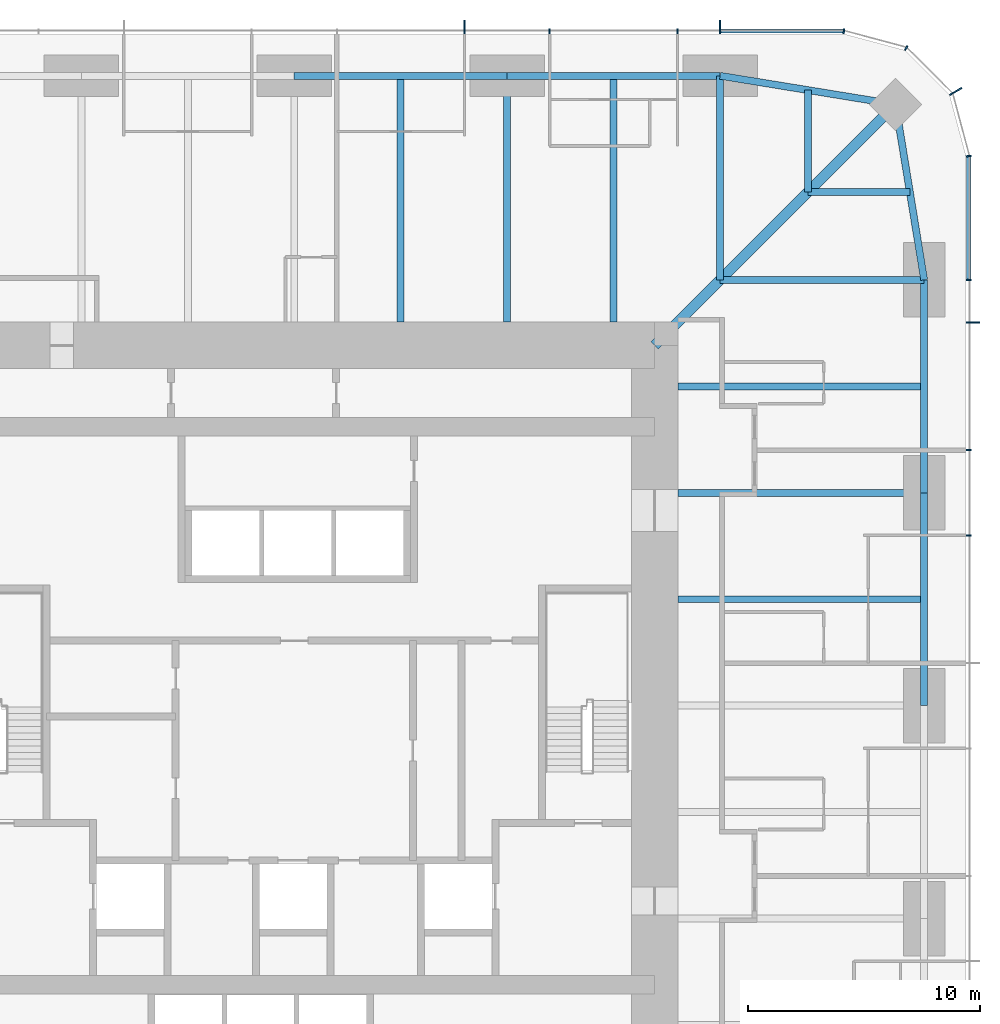
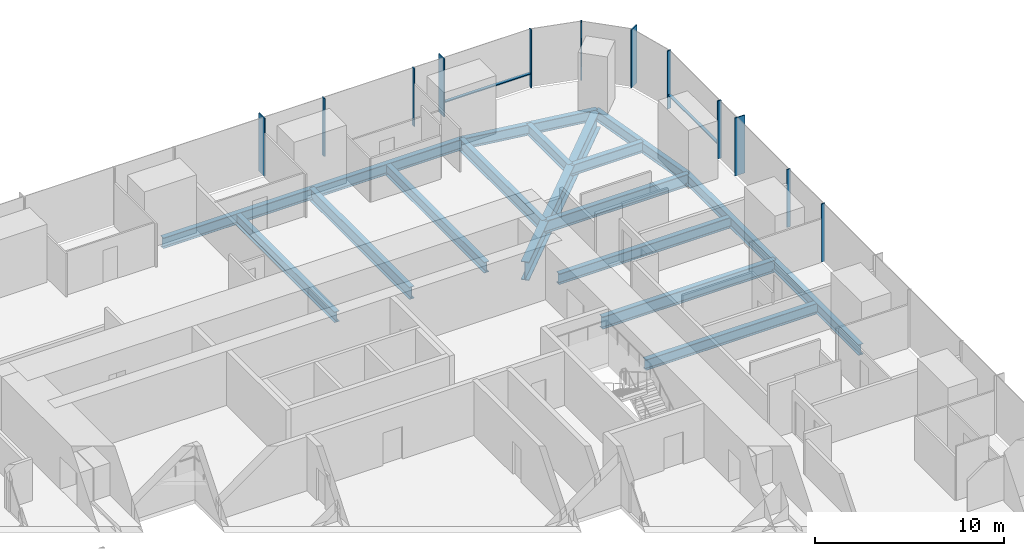
# One storey, part 6 of 13: 17 beams, 14 members, 3 elements without a shape of their own.
"""IFC4 building model written with IfcOpenShell, lengths in metres."""

from ifc_helpers import new_model, si_unit, direction, frame, origin, origin_2d, place, context, subcontext, project, spatial, rectangle, i_section, extrude, material, material_profile, profile_set, type_object, element, aggregate, save


model = new_model("IFC4")

# Units and contexts
model_context = context("Model", 3, precision=1e-05, world=origin(), true_north=direction((0.0, 1.0)))
body_context = subcontext(model_context, "Body", "Model", "MODEL_VIEW")
ifc_project = project(units=[si_unit("LENGTHUNIT", "METRE"), si_unit("AREAUNIT", "SQUARE_METRE"), si_unit("VOLUMEUNIT", "CUBIC_METRE"), si_unit("PLANEANGLEUNIT", "RADIAN"), si_unit("MASSUNIT", "GRAM", prefix="KILO")], contexts=[model_context])

# Site, building, storey
site_placement = place(None, origin())
site = spatial("IfcSite", under=ifc_project, at=site_placement, CompositionType="ELEMENT")
building_placement = place(site_placement, origin())
building = spatial("IfcBuilding", under=site, at=building_placement, Name="Khuree Lantern Residences", CompositionType="ELEMENT")
storey_placement = place(building_placement, frame((0.0, 0.0, 133.5)))
storey = spatial("IfcBuildingStorey", under=building, at=storey_placement, Name="L33", CompositionType="ELEMENT", Elevation=133.5)

# Beams
ifc_material_1 = material(Name="Steel S355", Category="steel")
ifc_material_profile_1 = material_profile(ifc_material_1, i_section(OverallWidth=0.300048828125, OverallDepth=0.68994140625, WebThickness=0.014404296875, FlangeThickness=0.027099609375, FilletRadius=0.027099609375, at=origin_2d()), Name="HE 700 A")
ifc_profile_set_1 = profile_set([ifc_material_profile_1], Name="Steel S355")
beam_type_1 = type_object("IfcBeamType", Name="B-22 SECONDARY BEAM HE 700 A", PredefinedType="BEAM", material=ifc_profile_set_1)
for number, where, z_axis, x_axis, name in (
    (1, (4.580078125, 27.10009765625, -0.594970703125), (0.0, -1.0, 0.0), (1.0, 0.0, 0.0), "Secondary beam N3"),
    (2, (13.739990234375, 27.10009765625, -0.594970703125), (0.0, -1.0, 0.0), (1.0, 0.0, 0.0), "Secondary beam N4"),
):
    element("IfcBeam", number, at=place(storey_placement, frame(where, z_axis=z_axis, x_axis=x_axis)), inside=storey, type_object=beam_type_1, Name=name, PredefinedType="BEAM", context=body_context, shape_type="SweptSolid", body=[
        extrude(i_section(OverallWidth=0.300048828125, OverallDepth=0.68994140625, WebThickness=0.014404296875, FlangeThickness=0.027099609375, FilletRadius=0.027099609375, at=origin_2d()), origin(), (0.0, 0.0, 1.0), 10.60009765625),
    ])
for number, where, z_axis, x_axis, name in (
    (3, (22.094970703125, 26.48486328125, -0.594970703125), (0.0, -1.0, 0.0), (1.0, 0.0, 0.0), "Secondary beam N5"),
    (4, (26.48486328125, 22.094970703125, -0.594970703125), (-1.0, 0.0, 0.0), (0.0, -1.0, 0.0), "Secondary beam E1"),
):
    element("IfcBeam", number, at=place(storey_placement, frame(where, z_axis=z_axis, x_axis=x_axis)), inside=storey, type_object=beam_type_1, Name=name, PredefinedType="BEAM", context=body_context, shape_type="SweptSolid", body=[
        extrude(i_section(OverallWidth=0.300048828125, OverallDepth=0.68994140625, WebThickness=0.014404296875, FlangeThickness=0.027099609375, FilletRadius=0.027099609375, at=origin_2d()), origin(), (0.0, 0.0, 1.0), 4.389892578125),
    ])
for number, where, z_axis, x_axis, name in (
    (5, (27.10009765625, 13.739990234375, -0.594970703125), (-1.0, 0.0, 0.0), (0.0, -1.0, 0.0), "Secondary beam E2"),
    (6, (27.10009765625, 4.580078125, -0.594970703125), (-1.0, 0.0, 0.0), (0.0, -1.0, 0.0), "Secondary beam E3"),
):
    element("IfcBeam", number, at=place(storey_placement, frame(where, z_axis=z_axis, x_axis=x_axis)), inside=storey, type_object=beam_type_1, Name=name, PredefinedType="BEAM", context=body_context, shape_type="SweptSolid", body=[
        extrude(i_section(OverallWidth=0.300048828125, OverallDepth=0.68994140625, WebThickness=0.014404296875, FlangeThickness=0.027099609375, FilletRadius=0.027099609375, at=origin_2d()), origin(), (0.0, 0.0, 1.0), 10.60009765625),
    ])
ifc_material_profile_2 = material_profile(ifc_material_1, i_section(OverallWidth=0.300048828125, OverallDepth=0.68994140625, WebThickness=0.014404296875, FlangeThickness=0.027099609375, FilletRadius=0.027099609375, at=origin_2d()), Name="HE 700 A")
ifc_profile_set_2 = profile_set([ifc_material_profile_2], Name="Steel S355")
beam_type_2 = type_object("IfcBeamType", Name="E-22 SPANDREL BEAM HE 700 A", PredefinedType="SPANDREL", material=ifc_profile_set_2)
beam_1_placement = place(storey_placement, frame((0.0, 27.10009765625, -0.594970703125), z_axis=(1.0, 0.0, 0.0), x_axis=(0.0, 1.0, 0.0)))
element("IfcBeam", 7, at=beam_1_placement, inside=storey, type_object=beam_type_2, Name="Spandrel beam N3", PredefinedType="SPANDREL", context=body_context, shape_type="SweptSolid", body=[
    extrude(i_section(OverallWidth=0.300048828125, OverallDepth=0.68994140625, WebThickness=0.014404296875, FlangeThickness=0.027099609375, FilletRadius=0.027099609375, at=origin_2d()), origin(), (0.0, 0.0, 1.0), 9.159912109375),
])
beam_2_placement = place(storey_placement, frame((9.159912109375, 27.10009765625, -0.594970703125), z_axis=(1.0, 0.0, 0.0), x_axis=(0.0, 1.0, 0.0)))
element("IfcBeam", 8, at=beam_2_placement, inside=storey, type_object=beam_type_2, Name="Spandrel beam N4", PredefinedType="SPANDREL", context=body_context, shape_type="SweptSolid", body=[
    extrude(i_section(OverallWidth=0.300048828125, OverallDepth=0.68994140625, WebThickness=0.014404296875, FlangeThickness=0.027099609375, FilletRadius=0.027099609375, at=origin_2d()), origin(), (0.0, 0.0, 1.0), 9.16015625),
])
for number, where, z_axis, x_axis, name in (
    (9, (18.320068359375, 27.10009765625, -0.594970703125), (0.986982656839, -0.160826723833, 0.0), (0.160826723833, 0.986982656839, 0.0), "Spandrel beam N5"),
    (10, (25.869873046875, 25.869873046875, -0.594970703125), (0.160826723833, -0.986982656839, 0.0), (0.986982656839, 0.160826723833, 0.0), "Spandrel beam E1"),
):
    element("IfcBeam", number, at=place(storey_placement, frame(where, z_axis=z_axis, x_axis=x_axis)), inside=storey, type_object=beam_type_2, Name=name, PredefinedType="SPANDREL", context=body_context, shape_type="SweptSolid", body=[
        extrude(i_section(OverallWidth=0.300048828125, OverallDepth=0.68994140625, WebThickness=0.014404296875, FlangeThickness=0.027099609375, FilletRadius=0.027099609375, at=origin_2d()), origin(), (0.0, 0.0, 1.0), 7.6494140625),
    ])
beam_3_placement = place(storey_placement, frame((27.10009765625, 18.320068359375, -0.594970703125), z_axis=(0.0, -1.0, 0.0), x_axis=(1.0, 0.0, 0.0)))
element("IfcBeam", 11, at=beam_3_placement, inside=storey, type_object=beam_type_2, Name="Spandrel beam E2", PredefinedType="SPANDREL", context=body_context, shape_type="SweptSolid", body=[
    extrude(i_section(OverallWidth=0.300048828125, OverallDepth=0.68994140625, WebThickness=0.014404296875, FlangeThickness=0.027099609375, FilletRadius=0.027099609375, at=origin_2d()), origin(), (0.0, 0.0, 1.0), 9.16015625),
])
beam_4_placement = place(storey_placement, frame((27.10009765625, 9.159912109375, -0.594970703125), z_axis=(0.0, -1.0, 0.0), x_axis=(1.0, 0.0, 0.0)))
element("IfcBeam", 12, at=beam_4_placement, inside=storey, type_object=beam_type_2, Name="Spandrel beam E3", PredefinedType="SPANDREL", context=body_context, shape_type="SweptSolid", body=[
    extrude(i_section(OverallWidth=0.300048828125, OverallDepth=0.68994140625, WebThickness=0.014404296875, FlangeThickness=0.027099609375, FilletRadius=0.027099609375, at=origin_2d()), origin(), (0.0, 0.0, 1.0), 9.159912109375),
])

# Curtain wall, member
ifc_material_2 = material(Name="Bronze anodised aluminium", Category="aluminium")
curtain_wall_type_1 = type_object("IfcCurtainWallType", Name="CW-T1 TOWER FACE CURTAIN WALL", PredefinedType="USERDEFINED", material=ifc_material_2)
curtain_wall_1_placement = place(storey_placement, origin())
curtain_wall_1 = element("IfcCurtainWall", 13, at=curtain_wall_1_placement, inside=storey, type_object=curtain_wall_type_1, Name="L33 EAST FACE CURTAIN WALL", ObjectType="Stick-built curtain wall", PredefinedType="USERDEFINED")
ifc_material_profile_3 = material_profile(ifc_material_2, rectangle(XDim=0.06494140625, YDim=0.60009765625, at=origin_2d()), Name="F1 65X600")
ifc_profile_set_3 = profile_set([ifc_material_profile_3], Name="Bronze anodised aluminium")
member_type_1 = type_object("IfcMemberType", Name="F1 BRONZE FIN MULLION TOWER 65X600", PredefinedType="MULLION", material=ifc_profile_set_3)
member_1_placement = place(storey_placement, frame((29.199951171875, 16.488037109375, 0.0), z_axis=(0.0, 0.0, 1.0), x_axis=(0.0, 1.0, 0.0)))
member_1 = element("IfcMember", 14, at=member_1_placement, type_object=member_type_1, Name="L33 EAST FACE FIN MULLION 13", PredefinedType="MULLION", context=body_context, shape_type="SweptSolid", body=[
    extrude(rectangle(XDim=0.06494140625, YDim=0.60009765625, at=origin_2d()), origin(), (0.0, 0.0, 1.0), 3.75),
])

curtain_wall_type_2 = type_object("IfcCurtainWallType", Name="CW-T2 TOWER CORNER CURTAIN WALL", PredefinedType="USERDEFINED", material=ifc_material_2)
curtain_wall_2_placement = place(storey_placement, origin())
curtain_wall_2 = element("IfcCurtainWall", 15, at=curtain_wall_2_placement, inside=storey, type_object=curtain_wall_type_2, Name="L33 NORTH-EAST CORNER CURTAIN WALL", ObjectType="Faceted corner curtain wall", PredefinedType="USERDEFINED")
member_2_placement = place(storey_placement, frame((28.45654296875, 26.425048828125, 0.0), z_axis=(0.0, 0.0, 1.0), x_axis=(-0.500000026995, 0.866025388199, 0.0)))
member_2 = element("IfcMember", 16, at=member_2_placement, type_object=member_type_1, Name="L33 NORTH-EAST CORNER FIN MULLION 16", PredefinedType="MULLION", context=body_context, shape_type="SweptSolid", body=[
    extrude(rectangle(XDim=0.06494140625, YDim=0.60009765625, at=origin_2d()), origin(), (0.0, 0.0, 1.0), 3.75),
])

# Curtain wall, members
curtain_wall_3_placement = place(storey_placement, origin())
curtain_wall_3 = element("IfcCurtainWall", 17, at=curtain_wall_3_placement, inside=storey, type_object=curtain_wall_type_1, Name="L33 NORTH FACE CURTAIN WALL", ObjectType="Stick-built curtain wall", PredefinedType="USERDEFINED")
member_3_placement = place(storey_placement, frame((18.320068359375, 29.199951171875, 0.0), z_axis=(0.0, 0.0, 1.0), x_axis=(-1.0, 0.0, 0.0)))
member_3 = element("IfcMember", 18, at=member_3_placement, type_object=member_type_1, Name="L33 NORTH FACE FIN MULLION 19", PredefinedType="MULLION", context=body_context, shape_type="SweptSolid", body=[
    extrude(rectangle(XDim=0.06494140625, YDim=0.60009765625, at=origin_2d()), origin(), (0.0, 0.0, 1.0), 3.75),
])
member_4_placement = place(storey_placement, frame((7.327880859375, 29.199951171875, 0.0), z_axis=(0.0, 0.0, 1.0), x_axis=(-1.0, 0.0, 0.0)))
member_4 = element("IfcMember", 19, at=member_4_placement, type_object=member_type_1, Name="L33 NORTH FACE FIN MULLION 22", PredefinedType="MULLION", context=body_context, shape_type="SweptSolid", body=[
    extrude(rectangle(XDim=0.06494140625, YDim=0.60009765625, at=origin_2d()), origin(), (0.0, 0.0, 1.0), 3.75),
])

# Beams
ifc_material_profile_4 = material_profile(ifc_material_1, i_section(OverallWidth=0.300048828125, OverallDepth=0.800048828125, WebThickness=0.017578125, FlangeThickness=0.032958984375, FilletRadius=0.030029296875, at=origin_2d()), Name="HE 800 B")
ifc_profile_set_4 = profile_set([ifc_material_profile_4], Name="Steel S355")
beam_type_3 = type_object("IfcBeamType", Name="G-22 GIRDER HE 800 B", PredefinedType="BEAM", material=ifc_profile_set_4)
beam_5_placement = place(storey_placement, frame((9.159912109375, 27.10009765625, -0.64990234375), z_axis=(0.0, -1.0, 0.0), x_axis=(1.0, 0.0, 0.0)))
element("IfcBeam", 20, at=beam_5_placement, inside=storey, type_object=beam_type_3, Name="Girder N4", PredefinedType="BEAM", context=body_context, shape_type="SweptSolid", body=[
    extrude(i_section(OverallWidth=0.300048828125, OverallDepth=0.800048828125, WebThickness=0.017578125, FlangeThickness=0.032958984375, FilletRadius=0.030029296875, at=origin_2d()), origin(), (0.0, 0.0, 1.0), 10.60009765625),
])
for number, where, z_axis, x_axis, name in (
    (21, (18.320068359375, 27.10009765625, -0.64990234375), (0.0, -1.0, 0.0), (1.0, 0.0, 0.0), "Girder N5"),
    (22, (27.10009765625, 18.320068359375, -0.64990234375), (-1.0, 0.0, 0.0), (0.0, -1.0, 0.0), "Girder E1"),
):
    element("IfcBeam", number, at=place(storey_placement, frame(where, z_axis=z_axis, x_axis=x_axis)), inside=storey, type_object=beam_type_3, Name=name, PredefinedType="BEAM", context=body_context, shape_type="SweptSolid", body=[
        extrude(i_section(OverallWidth=0.300048828125, OverallDepth=0.800048828125, WebThickness=0.017578125, FlangeThickness=0.032958984375, FilletRadius=0.030029296875, at=origin_2d()), origin(), (0.0, 0.0, 1.0), 8.780029296875),
    ])
beam_6_placement = place(storey_placement, frame((27.10009765625, 9.159912109375, -0.64990234375), z_axis=(-1.0, 0.0, 0.0), x_axis=(0.0, -1.0, 0.0)))
element("IfcBeam", 23, at=beam_6_placement, inside=storey, type_object=beam_type_3, Name="Girder E2", PredefinedType="BEAM", context=body_context, shape_type="SweptSolid", body=[
    extrude(i_section(OverallWidth=0.300048828125, OverallDepth=0.800048828125, WebThickness=0.017578125, FlangeThickness=0.032958984375, FilletRadius=0.030029296875, at=origin_2d()), origin(), (0.0, 0.0, 1.0), 10.60009765625),
])
ifc_material_profile_5 = material_profile(ifc_material_1, i_section(OverallWidth=0.449951171875, OverallDepth=1.199951171875, WebThickness=0.02490234375, FlangeThickness=0.044921875, at=origin_2d()), Name="WELDED I 1200X450X25X45")
ifc_profile_set_5 = profile_set([ifc_material_profile_5], Name="Steel S355")
beam_type_4 = type_object("IfcBeamType", Name="GD-22 CORNER GIRDER WELDED I 1200X450X25X45", PredefinedType="BEAM", material=ifc_profile_set_5)
beam_7_placement = place(storey_placement, frame((25.869873046875, 25.869873046875, -0.85009765625), z_axis=(-0.707106781187, -0.707106781187, 0.0), x_axis=(0.707106781187, -0.707106781187, 0.0)))
element("IfcBeam", 24, at=beam_7_placement, inside=storey, type_object=beam_type_4, Name="Corner girder NE", PredefinedType="BEAM", context=body_context, shape_type="SweptSolid", body=[
    extrude(i_section(OverallWidth=0.449951171875, OverallDepth=1.199951171875, WebThickness=0.02490234375, FlangeThickness=0.044921875, at=origin_2d()), origin(), (0.0, 0.0, 1.0), 14.665283203125),
])

# Member
ifc_material_profile_6 = material_profile(ifc_material_2, rectangle(XDim=0.06494140625, YDim=0.219970703125, at=origin_2d()), Name="M1 65X220")
ifc_profile_set_6 = profile_set([ifc_material_profile_6], Name="Bronze anodised aluminium")
member_type_2 = type_object("IfcMemberType", Name="M1 BRONZE MULLION TOWER 65X220", PredefinedType="MULLION", material=ifc_profile_set_6)
member_5_placement = place(storey_placement, frame((29.010009765625, 7.327880859375, 0.0), z_axis=(0.0, 0.0, 1.0), x_axis=(0.0, 1.0, 0.0)))
member_5 = element("IfcMember", 25, at=member_5_placement, type_object=member_type_2, Name="L33 EAST FACE MULLION 11", PredefinedType="MULLION", context=body_context, shape_type="SweptSolid", body=[
    extrude(rectangle(XDim=0.06494140625, YDim=0.219970703125, at=origin_2d()), origin(), (0.0, 0.0, 1.0), 3.75),
])

member_6_placement = place(storey_placement, frame((29.010009765625, 10.991943359375, 0.0), z_axis=(0.0, 0.0, 1.0), x_axis=(0.0, 1.0, 0.0)))
member_6 = element("IfcMember", 26, at=member_6_placement, type_object=member_type_2, Name="L33 EAST FACE MULLION 12", PredefinedType="MULLION", context=body_context, shape_type="SweptSolid", body=[
    extrude(rectangle(XDim=0.06494140625, YDim=0.219970703125, at=origin_2d()), origin(), (0.0, 0.0, 1.0), 3.75),
])

member_7_placement = place(storey_placement, frame((29.010009765625, 18.320068359375, 0.0), z_axis=(0.0, 0.0, 1.0), x_axis=(0.0, 1.0, 0.0)))
member_7 = element("IfcMember", 27, at=member_7_placement, type_object=member_type_2, Name="L33 EAST FACE MULLION 14", PredefinedType="MULLION", context=body_context, shape_type="SweptSolid", body=[
    extrude(rectangle(XDim=0.06494140625, YDim=0.219970703125, at=origin_2d()), origin(), (0.0, 0.0, 1.0), 3.75),
])

member_8_placement = place(storey_placement, frame((29.01171875, 23.64501953125, 0.0), z_axis=(0.0, 0.0, 1.0), x_axis=(-0.130526223125, 0.991444857305, 0.0)))
member_8 = element("IfcMember", 28, at=member_8_placement, type_object=member_type_2, Name="L33 NORTH-EAST CORNER MULLION 15", PredefinedType="MULLION", context=body_context, shape_type="SweptSolid", body=[
    extrude(rectangle(XDim=0.06494140625, YDim=0.219970703125, at=origin_2d()), origin(), (0.0, 0.0, 1.0), 3.75),
])

member_9_placement = place(storey_placement, frame((26.330078125, 28.2919921875, 0.0), z_axis=(0.0, 0.0, 1.0), x_axis=(-0.866025388199, 0.500000026995, 0.0)))
member_9 = element("IfcMember", 29, at=member_9_placement, type_object=member_type_2, Name="L33 NORTH-EAST CORNER MULLION 17", PredefinedType="MULLION", context=body_context, shape_type="SweptSolid", body=[
    extrude(rectangle(XDim=0.06494140625, YDim=0.219970703125, at=origin_2d()), origin(), (0.0, 0.0, 1.0), 3.75),
])

aggregate(curtain_wall_2, [member_8, member_2, member_9])

member_10_placement = place(storey_placement, frame((23.64501953125, 29.01171875, 0.0), z_axis=(0.0, 0.0, 1.0), x_axis=(-0.991444857305, 0.130526223125, 0.0)))
member_10 = element("IfcMember", 30, at=member_10_placement, type_object=member_type_2, Name="L33 NORTH FACE MULLION 18", PredefinedType="MULLION", context=body_context, shape_type="SweptSolid", body=[
    extrude(rectangle(XDim=0.06494140625, YDim=0.219970703125, at=origin_2d()), origin(), (0.0, 0.0, 1.0), 3.75),
])

member_11_placement = place(storey_placement, frame((16.488037109375, 29.010009765625, 0.0), z_axis=(0.0, 0.0, 1.0), x_axis=(-1.0, 0.0, 0.0)))
member_11 = element("IfcMember", 31, at=member_11_placement, type_object=member_type_2, Name="L33 NORTH FACE MULLION 20", PredefinedType="MULLION", context=body_context, shape_type="SweptSolid", body=[
    extrude(rectangle(XDim=0.06494140625, YDim=0.219970703125, at=origin_2d()), origin(), (0.0, 0.0, 1.0), 3.75),
])

member_12_placement = place(storey_placement, frame((10.991943359375, 29.010009765625, 0.0), z_axis=(0.0, 0.0, 1.0), x_axis=(-1.0, 0.0, 0.0)))
member_12 = element("IfcMember", 32, at=member_12_placement, type_object=member_type_2, Name="L33 NORTH FACE MULLION 21", PredefinedType="MULLION", context=body_context, shape_type="SweptSolid", body=[
    extrude(rectangle(XDim=0.06494140625, YDim=0.219970703125, at=origin_2d()), origin(), (0.0, 0.0, 1.0), 3.75),
])

ifc_material_profile_7 = material_profile(ifc_material_2, rectangle(XDim=0.179931640625, YDim=0.06494140625, at=origin_2d()), Name="T1 180X65")
ifc_profile_set_7 = profile_set([ifc_material_profile_7], Name="Bronze anodised aluminium")
member_type_3 = type_object("IfcMemberType", Name="TRANSOM T1 TOWER 180X65", PredefinedType="USERDEFINED", material=ifc_profile_set_7)
member_13_placement = place(storey_placement, frame((29.02001953125, 18.3525390625, 0.89990234375), z_axis=(0.0, 1.0, 0.0), x_axis=(-1.0, 0.0, 0.0)))
member_13 = element("IfcMember", 33, at=member_13_placement, type_object=member_type_3, Name="L33 EAST FACE TRANSOM 14.1", ObjectType="Transom", PredefinedType="USERDEFINED", context=body_context, shape_type="SweptSolid", body=[
    extrude(rectangle(XDim=0.179931640625, YDim=0.06494140625, at=origin_2d()), origin(), (0.0, 0.0, 1.0), 5.248779296875),
])

aggregate(curtain_wall_1, [member_5, member_6, member_1, member_7, member_13])

member_14_placement = place(storey_placement, frame((23.601318359375, 29.02001953125, 0.89990234375), z_axis=(-1.0, 0.0, 0.0), x_axis=(0.0, -1.0, 0.0)))
member_14 = element("IfcMember", 34, at=member_14_placement, type_object=member_type_3, Name="L33 NORTH FACE TRANSOM 18.1", ObjectType="Transom", PredefinedType="USERDEFINED", context=body_context, shape_type="SweptSolid", body=[
    extrude(rectangle(XDim=0.179931640625, YDim=0.06494140625, at=origin_2d()), origin(), (0.0, 0.0, 1.0), 5.248779296875),
])

aggregate(curtain_wall_3, [member_10, member_3, member_11, member_12, member_4, member_14])

save(model, "model.ifc")
